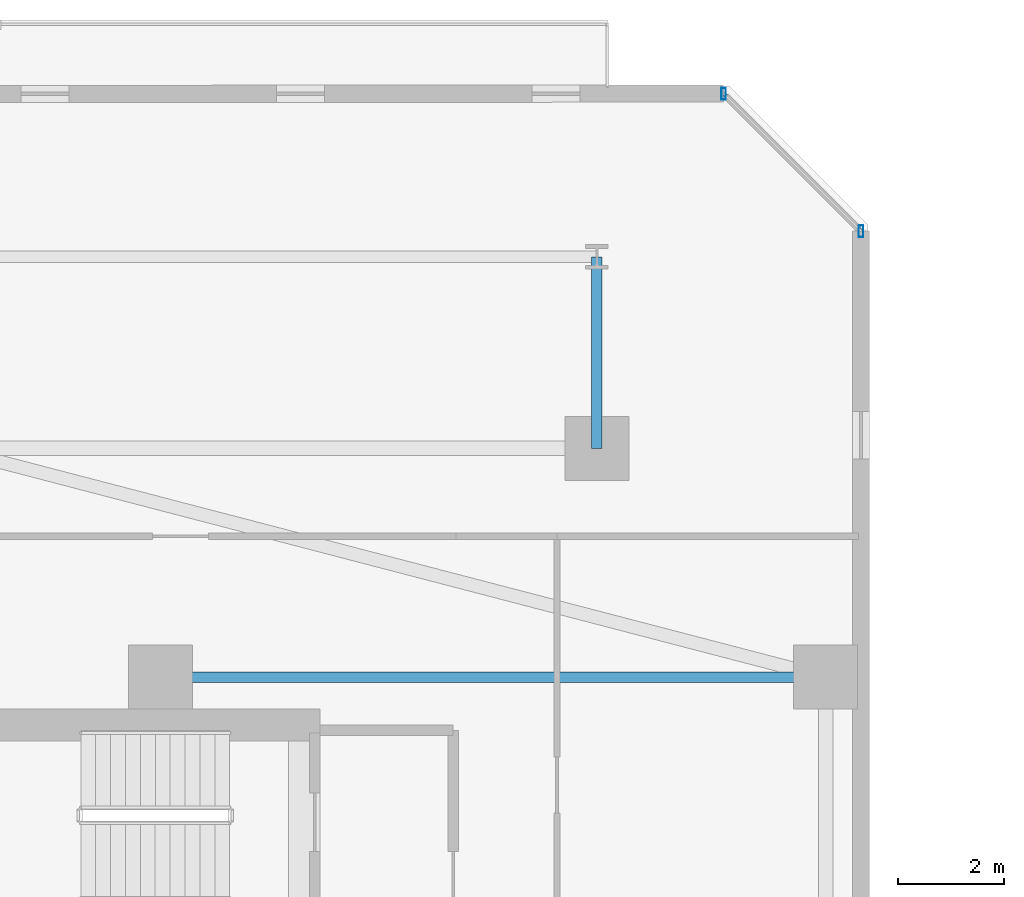
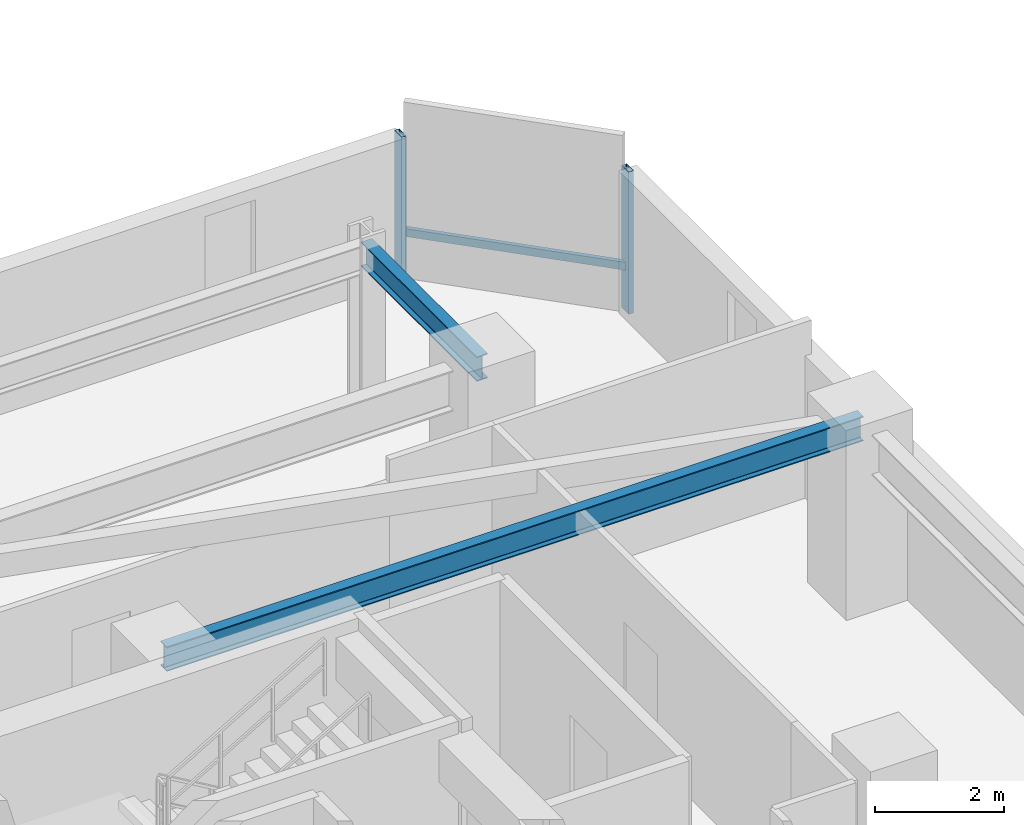
# One storey, part 10 of 33: 3 members, 2 beams, 1 element without a shape of its own.
"""IFC4 building model written with IfcOpenShell, lengths in metres."""

from ifc_helpers import new_model, si_unit, direction, frame, origin, origin_2d, place, context, subcontext, project, spatial, hollow_rectangle, i_section, extrude, material, material_profile, profile_set, type_object, element, aggregate, save


model = new_model("IFC4")

# Units and contexts
model_context = context("Model", 3, precision=1e-05, world=origin(), true_north=direction((0.0, 1.0)))
body_context = subcontext(model_context, "Body", "Model", "MODEL_VIEW")
ifc_project = project(units=[si_unit("LENGTHUNIT", "METRE"), si_unit("AREAUNIT", "SQUARE_METRE"), si_unit("VOLUMEUNIT", "CUBIC_METRE"), si_unit("PLANEANGLEUNIT", "RADIAN"), si_unit("MASSUNIT", "GRAM", prefix="KILO")], contexts=[model_context])

# Site, building, storey
site_placement = place(None, origin())
site = spatial("IfcSite", under=ifc_project, at=site_placement, CompositionType="ELEMENT")
building_placement = place(site_placement, origin())
building = spatial("IfcBuilding", under=site, at=building_placement, Name="Thornwick Lancets Civic Towers", CompositionType="ELEMENT")
storey_placement = place(building_placement, frame((0.0, 0.0, 105.300048828125)))
storey = spatial("IfcBuildingStorey", under=building, at=storey_placement, Name="L27", CompositionType="ELEMENT", Elevation=105.300048828125)

# Beams
ifc_material_1 = material(Name="Steel S355JR", Category="steel")
ifc_material_profile_1 = material_profile(ifc_material_1, i_section(OverallWidth=0.19287109375, OverallDepth=0.46728515625, WebThickness=0.011474609375, FlangeThickness=0.01953125, FilletRadius=0.01025390625, at=origin_2d()), Name="UKB 457x191x98")
ifc_profile_set_1 = profile_set([ifc_material_profile_1], Name="Steel S355JR")
beam_type = type_object("IfcBeamType", Name="BM_JOIST_457_98", PredefinedType="JOIST", material=ifc_profile_set_1)
beam_1_placement = place(storey_placement, frame((30.300048828125, 40.0, 3.12646484375), z_axis=(1.0, 0.0, 0.0), x_axis=(0.0, 1.0, 0.0)))
element("IfcBeam", 1, at=beam_1_placement, inside=storey, type_object=beam_type, Name="BM-RADIN-L27-A06", PredefinedType="JOIST", context=body_context, shape_type="SweptSolid", body=[
    extrude(i_section(OverallWidth=0.19287109375, OverallDepth=0.46728515625, WebThickness=0.011474609375, FlangeThickness=0.01953125, FilletRadius=0.01025390625, at=origin_2d()), origin(), (0.0, 0.0, 1.0), 12.5),
])
beam_2_placement = place(storey_placement, frame((38.5, 44.300048828125, 3.12646484375), z_axis=(0.0, 1.0, 0.0), x_axis=(-1.0, 0.0, 0.0)))
element("IfcBeam", 2, at=beam_2_placement, inside=storey, type_object=beam_type, Name="BM-RAD-L27-A09", PredefinedType="JOIST", context=body_context, shape_type="SweptSolid", body=[
    extrude(i_section(OverallWidth=0.19287109375, OverallDepth=0.46728515625, WebThickness=0.011474609375, FlangeThickness=0.01953125, FilletRadius=0.01025390625, at=origin_2d()), origin(), (0.0, 0.0, 1.0), 3.599853515625),
])

# Curtain wall, members
ifc_material_2 = material(Name="Low-zone chamfered-corner unitised glass curtain wall", Category="glass")
curtain_wall_type = type_object("IfcCurtainWallType", Name="CW_SYS_03", PredefinedType="NOTDEFINED", material=ifc_material_2)
curtain_wall_placement = place(storey_placement, origin())
curtain_wall = element("IfcCurtainWall", 3, at=curtain_wall_placement, inside=storey, type_object=curtain_wall_type, Name="L27 Curtain Wall CW-L27-A-E3", PredefinedType="NOTDEFINED")
ifc_material_3 = material(Name="Thermally broken bronze aluminium S355", Category="steel")
ifc_material_profile_2 = material_profile(ifc_material_3, hollow_rectangle(XDim=0.090087890625, YDim=0.219970703125, WallThickness=0.00634765625, at=origin_2d()), Name="RHS 220x90x6.3")
ifc_profile_set_2 = profile_set([ifc_material_profile_2], Name="Thermally broken bronze aluminium S355")
member_type_1 = type_object("IfcMemberType", Name="CW_MUL_220", PredefinedType="MULLION", material=ifc_profile_set_2)
member_1_placement = place(storey_placement, frame((43.464599609375, 48.38134765625, 0.0), z_axis=(0.0, 0.0, 1.0), x_axis=(1.0, 0.0, 0.0)))
member_1 = element("IfcMember", 4, at=member_1_placement, type_object=member_type_1, Name="CW-L27-A-E3 Mullion 0", PredefinedType="MULLION", context=body_context, shape_type="SweptSolid", body=[
    extrude(hollow_rectangle(XDim=0.090087890625, YDim=0.219970703125, WallThickness=0.00634765625, at=origin_2d()), origin(), (0.0, 0.0, 1.0), 2.699951171875),
])
member_2_placement = place(storey_placement, frame((40.88134765625, 50.964599609375, 0.0), z_axis=(0.0, 0.0, 1.0), x_axis=(1.0, 0.0, 0.0)))
member_2 = element("IfcMember", 5, at=member_2_placement, type_object=member_type_1, Name="CW-L27-A-E3 Mullion 1", PredefinedType="MULLION", context=body_context, shape_type="SweptSolid", body=[
    extrude(hollow_rectangle(XDim=0.090087890625, YDim=0.219970703125, WallThickness=0.00634765625, at=origin_2d()), origin(), (0.0, 0.0, 1.0), 2.699951171875),
])
ifc_material_profile_3 = material_profile(ifc_material_3, hollow_rectangle(XDim=0.074951171875, YDim=0.14990234375, WallThickness=0.0048828125, at=origin_2d()), Name="RHS 150x75x5")
ifc_profile_set_3 = profile_set([ifc_material_profile_3], Name="Thermally broken bronze aluminium S355")
member_type_2 = type_object("IfcMemberType", Name="CW_TRN_150", PredefinedType="USERDEFINED", material=ifc_profile_set_3)
member_3_placement = place(storey_placement, frame((43.45068359375, 48.3955078125, 0.849853515625), z_axis=(-0.707106781187, 0.707106781187, 0.0), x_axis=(-0.707106781187, -0.707106781187, 0.0)))
member_3 = element("IfcMember", 6, at=member_3_placement, type_object=member_type_2, Name="CW-L27-A-E3 Transom 0", ObjectType="TRANSOM", PredefinedType="USERDEFINED", context=body_context, shape_type="SweptSolid", body=[
    extrude(hollow_rectangle(XDim=0.074951171875, YDim=0.14990234375, WallThickness=0.0048828125, at=origin_2d()), origin(), (0.0, 0.0, 1.0), 3.613525390625),
])
aggregate(curtain_wall, [member_1, member_2, member_3])

save(model, "model.ifc")
